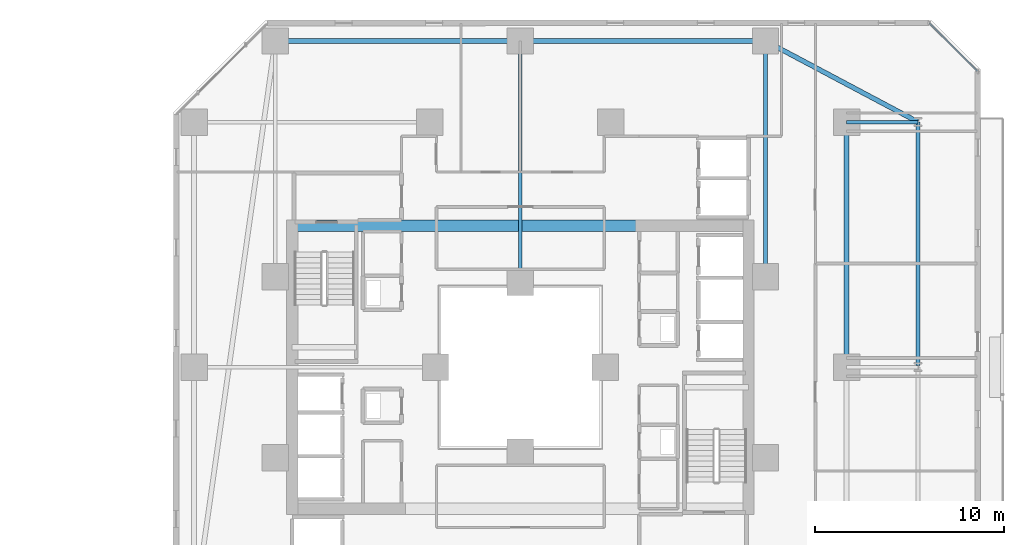
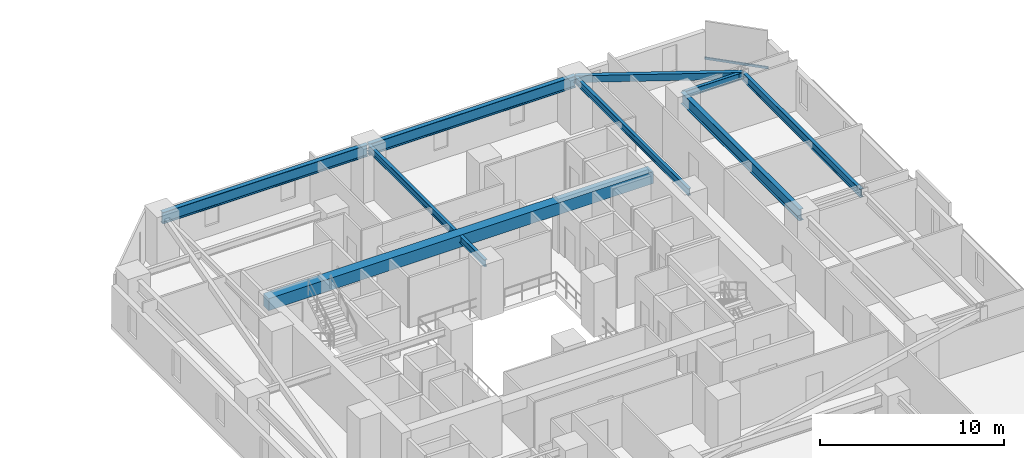
# One storey, part 15 of 33: 9 beams, 1 member, 1 element without a shape of its own.
"""IFC4 building model written with IfcOpenShell, lengths in metres."""

from ifc_helpers import new_model, si_unit, direction, frame, origin, origin_2d, place, context, subcontext, project, spatial, rectangle, hollow_rectangle, i_section, extrude, material, material_profile, profile_set, type_object, element, aggregate, save


model = new_model("IFC4")

# Units and contexts
model_context = context("Model", 3, precision=1e-05, world=origin(), true_north=direction((0.0, 1.0)))
body_context = subcontext(model_context, "Body", "Model", "MODEL_VIEW")
ifc_project = project(units=[si_unit("LENGTHUNIT", "METRE"), si_unit("AREAUNIT", "SQUARE_METRE"), si_unit("VOLUMEUNIT", "CUBIC_METRE"), si_unit("PLANEANGLEUNIT", "RADIAN"), si_unit("MASSUNIT", "GRAM", prefix="KILO")], contexts=[model_context])

# Site, building, storey
site_placement = place(None, origin())
site = spatial("IfcSite", under=ifc_project, at=site_placement, CompositionType="ELEMENT")
building_placement = place(site_placement, origin())
building = spatial("IfcBuilding", under=site, at=building_placement, Name="Thornwick Lancets Civic Towers", CompositionType="ELEMENT")
storey_placement = place(building_placement, frame((0.0, 0.0, 42.300048828125)))
storey = spatial("IfcBuildingStorey", under=building, at=storey_placement, Name="L10", CompositionType="ELEMENT", Elevation=42.300048828125)

# Beams
ifc_material_1 = material(Name="Concrete C60/75", Category="concrete")
ifc_material_profile_1 = material_profile(ifc_material_1, rectangle(XDim=0.60009765625, YDim=0.800048828125, at=origin_2d()), Name="RC 600x800")
ifc_profile_set_1 = profile_set([ifc_material_profile_1], Name="Concrete C60/75")
beam_type_1 = type_object("IfcBeamType", Name="BM_COUP_RC800", PredefinedType="BEAM", material=ifc_profile_set_1)
beam_1_placement = place(storey_placement, frame((76.39990234375, 34.5, 2.9599609375), z_axis=(1.0, 0.0, 0.0), x_axis=(0.0, 1.0, 0.0)))
element("IfcBeam", 1, at=beam_1_placement, inside=storey, type_object=beam_type_1, Name="CB-L10-B1", PredefinedType="BEAM", context=body_context, shape_type="SweptSolid", body=[
    extrude(rectangle(XDim=0.60009765625, YDim=0.800048828125, at=origin_2d()), origin(), (0.0, 0.0, 1.0), 24.2001953125),
])
ifc_material_2 = material(Name="Steel S355JR", Category="steel")
ifc_material_profile_2 = material_profile(ifc_material_2, i_section(OverallWidth=0.2119140625, OverallDepth=0.54443359375, WebThickness=0.0126953125, FlangeThickness=0.021240234375, FilletRadius=0.0126953125, at=origin_2d()), Name="UKB 533x210x122")
ifc_profile_set_2 = profile_set([ifc_material_profile_2], Name="Steel S355JR")
beam_type_2 = type_object("IfcBeamType", Name="BM_EDGE_533_122", PredefinedType="SPANDREL", material=ifc_profile_set_2)
beam_2_placement = place(storey_placement, frame((109.60009765625, 27.080078125, 3.087646484375), z_axis=(0.0, 1.0, 0.0), x_axis=(-1.0, 0.0, 0.0)))
element("IfcBeam", 2, at=beam_2_placement, inside=storey, type_object=beam_type_2, Name="BM-EDGE-L10-B-S0-2", PredefinedType="SPANDREL", context=body_context, shape_type="SweptSolid", body=[
    extrude(i_section(OverallWidth=0.2119140625, OverallDepth=0.54443359375, WebThickness=0.0126953125, FlangeThickness=0.021240234375, FilletRadius=0.0126953125, at=origin_2d()), origin(), (0.0, 0.0, 1.0), 12.919921875),
])
ifc_material_profile_3 = material_profile(ifc_material_2, i_section(OverallWidth=0.26806640625, OverallDepth=0.769775390625, WebThickness=0.015625, FlangeThickness=0.025390625, FilletRadius=0.0166015625, at=origin_2d()), Name="UKB 762x267x197")
ifc_profile_set_3 = profile_set([ifc_material_profile_3], Name="Steel S355JR")
beam_type_3 = type_object("IfcBeamType", Name="BM_GIRD_762_197", PredefinedType="BEAM", material=ifc_profile_set_3)
beam_3_placement = place(storey_placement, frame((105.800048828125, 27.080078125, 2.97509765625), z_axis=(0.0, 1.0, 0.0), x_axis=(-1.0, 0.0, 0.0)))
element("IfcBeam", 3, at=beam_3_placement, inside=storey, type_object=beam_type_3, Name="BM-SPINE-L10-B-1-2", PredefinedType="BEAM", context=body_context, shape_type="SweptSolid", body=[
    extrude(i_section(OverallWidth=0.26806640625, OverallDepth=0.769775390625, WebThickness=0.015625, FlangeThickness=0.025390625, FilletRadius=0.0166015625, at=origin_2d()), origin(), (0.0, 0.0, 1.0), 12.919921875),
])
beam_4_placement = place(storey_placement, frame((101.5, 44.300048828125, 2.97509765625), z_axis=(-1.0, 0.0, 0.0), x_axis=(0.0, -1.0, 0.0)))
element("IfcBeam", 4, at=beam_4_placement, inside=storey, type_object=beam_type_3, Name="BM-SPINE-L10-B-3-4", PredefinedType="BEAM", context=body_context, shape_type="SweptSolid", body=[
    extrude(i_section(OverallWidth=0.26806640625, OverallDepth=0.769775390625, WebThickness=0.015625, FlangeThickness=0.025390625, FilletRadius=0.0166015625, at=origin_2d()), origin(), (0.0, 0.0, 1.0), 13.0),
])
beam_5_placement = place(storey_placement, frame((88.419921875, 44.300048828125, 2.97509765625), z_axis=(-1.0, 0.0, 0.0), x_axis=(0.0, -1.0, 0.0)))
element("IfcBeam", 5, at=beam_5_placement, inside=storey, type_object=beam_type_3, Name="BM-SPINE-L10-B-4-5", PredefinedType="BEAM", context=body_context, shape_type="SweptSolid", body=[
    extrude(i_section(OverallWidth=0.26806640625, OverallDepth=0.769775390625, WebThickness=0.015625, FlangeThickness=0.025390625, FilletRadius=0.0166015625, at=origin_2d()), origin(), (0.0, 0.0, 1.0), 12.919921875),
])
ifc_material_profile_4 = material_profile(ifc_material_2, i_section(OverallWidth=0.19189453125, OverallDepth=0.46337890625, WebThickness=0.010498046875, FlangeThickness=0.017578125, FilletRadius=0.01025390625, at=origin_2d()), Name="UKB 457x191x89")
ifc_profile_set_4 = profile_set([ifc_material_profile_4], Name="Steel S355JR")
beam_type_4 = type_object("IfcBeamType", Name="BM_JOIST_457_89", PredefinedType="JOIST", material=ifc_profile_set_4)
beam_6_placement = place(storey_placement, frame((105.800048828125, 40.0, 3.128173828125), z_axis=(1.0, 0.0, 0.0), x_axis=(0.0, 1.0, 0.0)))
element("IfcBeam", 6, at=beam_6_placement, inside=storey, type_object=beam_type_4, Name="BM-RAD-L10-B03", PredefinedType="JOIST", context=body_context, shape_type="SweptSolid", body=[
    extrude(i_section(OverallWidth=0.19189453125, OverallDepth=0.46337890625, WebThickness=0.010498046875, FlangeThickness=0.017578125, FilletRadius=0.01025390625, at=origin_2d()), origin(), (0.0, 0.0, 1.0), 3.800048828125),
])
beam_7_placement = place(storey_placement, frame((101.5, 31.800048828125, 3.128173828125), z_axis=(0.0, 1.0, 0.0), x_axis=(-1.0, 0.0, 0.0)))
element("IfcBeam", 7, at=beam_7_placement, inside=storey, type_object=beam_type_4, Name="BM-RADIN-L10-B04", PredefinedType="JOIST", context=body_context, shape_type="SweptSolid", body=[
    extrude(i_section(OverallWidth=0.19189453125, OverallDepth=0.46337890625, WebThickness=0.010498046875, FlangeThickness=0.017578125, FilletRadius=0.01025390625, at=origin_2d()), origin(), (0.0, 0.0, 1.0), 12.5),
])
beam_8_placement = place(storey_placement, frame((88.5, 31.5, 3.128173828125), z_axis=(0.0, 1.0, 0.0), x_axis=(-1.0, 0.0, 0.0)))
element("IfcBeam", 8, at=beam_8_placement, inside=storey, type_object=beam_type_4, Name="BM-RADIN-L10-B05", PredefinedType="JOIST", context=body_context, shape_type="SweptSolid", body=[
    extrude(i_section(OverallWidth=0.19189453125, OverallDepth=0.46337890625, WebThickness=0.010498046875, FlangeThickness=0.017578125, FilletRadius=0.01025390625, at=origin_2d()), origin(), (0.0, 0.0, 1.0), 12.800048828125),
])
ifc_material_profile_5 = material_profile(ifc_material_2, hollow_rectangle(XDim=0.25, YDim=0.449951171875, WallThickness=0.01611328125, at=origin_2d()), Name="RHS 450x250x16")
ifc_profile_set_5 = profile_set([ifc_material_profile_5], Name="Steel S355JR")
beam_type_5 = type_object("IfcBeamType", Name="BM_RING_RHS450", PredefinedType="BEAM", material=ifc_profile_set_5)
beam_9_placement = place(storey_placement, frame((109.60009765625, 40.0, 3.135009765625), z_axis=(-0.883256999818, 0.468889189758, 0.0), x_axis=(-0.468889189758, -0.883256999818, 0.0)))
element("IfcBeam", 9, at=beam_9_placement, inside=storey, type_object=beam_type_5, Name="BM-CHAMF-L10-B-C0", PredefinedType="BEAM", context=body_context, shape_type="SweptSolid", body=[
    extrude(hollow_rectangle(XDim=0.25, YDim=0.449951171875, WallThickness=0.01611328125, at=origin_2d()), origin(), (0.0, 0.0, 1.0), 9.170654296875),
])

# Curtain wall, member
ifc_material_3 = material(Name="Low-zone chamfered-corner unitised glass curtain wall", Category="glass")
curtain_wall_type = type_object("IfcCurtainWallType", Name="CW_SYS_03", PredefinedType="NOTDEFINED", material=ifc_material_3)
curtain_wall_placement = place(storey_placement, origin())
curtain_wall = element("IfcCurtainWall", 10, at=curtain_wall_placement, inside=storey, type_object=curtain_wall_type, Name="L10 Curtain Wall CW-L10-B-E3", PredefinedType="NOTDEFINED")
ifc_material_4 = material(Name="Thermally broken bronze aluminium S355", Category="steel")
ifc_material_profile_6 = material_profile(ifc_material_4, hollow_rectangle(XDim=0.074951171875, YDim=0.14990234375, WallThickness=0.0048828125, at=origin_2d()), Name="RHS 150x75x5")
ifc_profile_set_6 = profile_set([ifc_material_profile_6], Name="Thermally broken bronze aluminium S355")
member_type = type_object("IfcMemberType", Name="CW_TRN_150", PredefinedType="USERDEFINED", material=ifc_profile_set_6)
member_placement = place(storey_placement, frame((112.750732421875, 42.6953125, 0.849853515625), z_axis=(-0.707106781187, 0.707106781187, 0.0), x_axis=(-0.707106781187, -0.707106781187, 0.0)))
member = element("IfcMember", 11, at=member_placement, type_object=member_type, Name="CW-L10-B-E3 Transom 0", ObjectType="TRANSOM", PredefinedType="USERDEFINED", context=body_context, shape_type="SweptSolid", body=[
    extrude(hollow_rectangle(XDim=0.074951171875, YDim=0.14990234375, WallThickness=0.0048828125, at=origin_2d()), origin(), (0.0, 0.0, 1.0), 3.614013671875),
])
aggregate(curtain_wall, [member])

save(model, "model.ifc")
